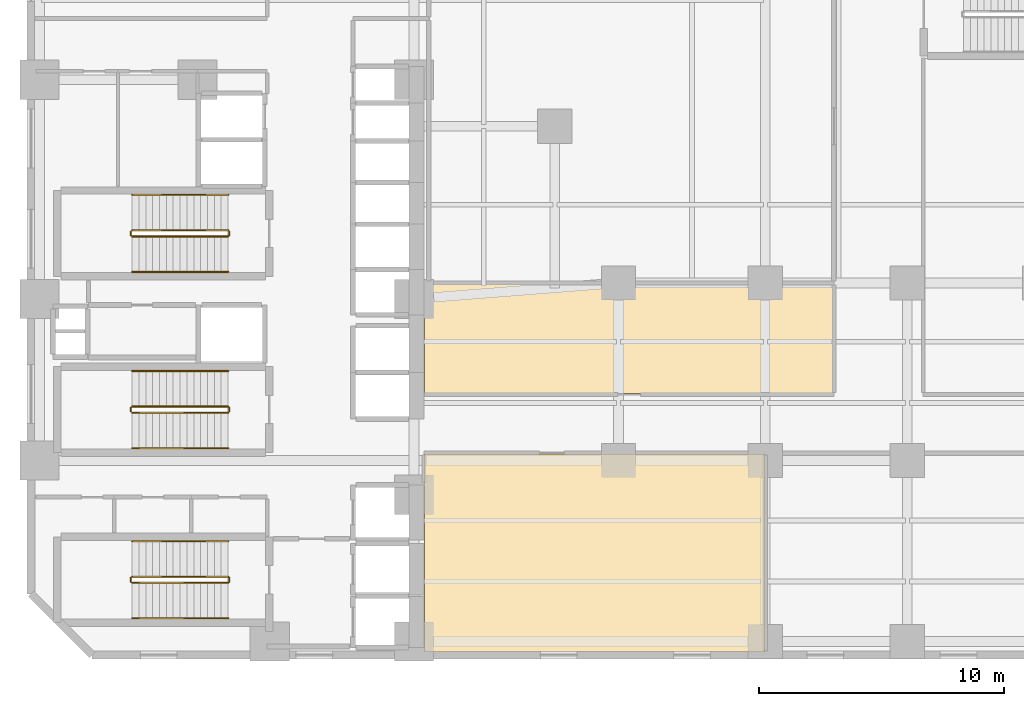
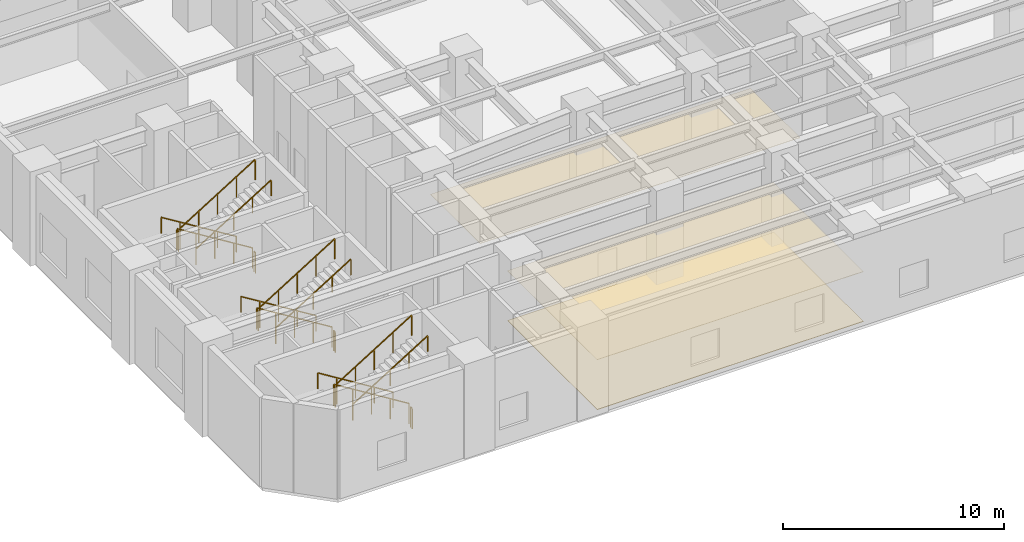
# One storey, part 18 of 22: 18 railings, 3 coverings.
"""IFC4 building model written with IfcOpenShell, lengths in metres."""

from ifc_helpers import new_model, si_unit, direction, frame, origin, origin_2d, place, context, subcontext, project, spatial, polyline, rectangle, outline, extrude, material, layer, layer_set, type_object, element, save


model = new_model("IFC4")

# Units and contexts
model_context = context("Model", 3, precision=1e-05, world=origin(), true_north=direction((0.0, 1.0)))
body_context = subcontext(model_context, "Body", "Model", "MODEL_VIEW")
ifc_project = project(units=[si_unit("LENGTHUNIT", "METRE"), si_unit("AREAUNIT", "SQUARE_METRE"), si_unit("VOLUMEUNIT", "CUBIC_METRE"), si_unit("PLANEANGLEUNIT", "RADIAN"), si_unit("MASSUNIT", "GRAM", prefix="KILO")], contexts=[model_context])

# Site, building, storey
site_placement = place(None, origin())
site = spatial("IfcSite", under=ifc_project, at=site_placement, CompositionType="ELEMENT")
building_placement = place(site_placement, origin())
building = spatial("IfcBuilding", under=site, at=building_placement, Name="Mawjaban Terraces University", CompositionType="ELEMENT")
storey_placement = place(building_placement, frame((0.0, 0.0, 5.199951171875)))
storey = spatial("IfcBuildingStorey", under=building, at=storey_placement, Name="L01", CompositionType="ELEMENT", Elevation=5.199951171875)

# Coverings
ifc_material_1 = material(Name="Acoustic mineral fibre ceiling tile", Category="masonry")
ifc_layer_1 = layer(ifc_material_1, 0.02001953125)
ifc_layer_set_1 = layer_set([ifc_layer_1], Name="Acoustic mineral fibre ceiling tile")
covering_type_1 = type_object("IfcCoveringType", Name="AcousticMineralCeiling_20", PredefinedType="CEILING", material=ifc_layer_set_1)
covering_1_placement = place(storey_placement, frame((0.0, 0.0, 2.75)))
element("IfcCovering", 1, at=covering_1_placement, inside=storey, type_object=covering_type_1, Name="L01 Lecture Audio-Visual Preparation Room Acoustic Ceiling", PredefinedType="CEILING", context=body_context, shape_type="SweptSolid", body=[
    extrude(outline(polyline([(54.77001953125, 10.679931640625), (54.77001953125, 15.169921875), (38.080078125, 15.169921875), (38.080078125, 10.679931640625), (54.77001953125, 10.679931640625)])), origin(), (0.0, 0.0, 1.0), 0.02001953125),
])
covering_2_placement = place(storey_placement, frame((0.0, 0.0, 2.75)))
element("IfcCovering", 2, at=covering_2_placement, inside=storey, type_object=covering_type_1, Name="L01 Foundation Seminar Classroom Acoustic Ceiling", PredefinedType="CEILING", context=body_context, shape_type="SweptSolid", body=[
    extrude(outline(polyline([(38.080078125, 0.114990234375), (51.969970703125, 0.114990234375), (51.969970703125, 8.219970703125), (38.080078125, 8.219970703125), (38.080078125, 0.114990234375)])), origin(), (0.0, 0.0, 1.0), 0.02001953125),
])

# Railings
ifc_material_2 = material(Name="Brushed stainless steel 316", Category="steel")
railing_type_1 = type_object("IfcRailingType", Name="StairWallHandrail_900", PredefinedType="HANDRAIL", material=ifc_material_2)
railing_1_placement = place(storey_placement, frame((30.050048828125, 4.64990234375, 0.17333984375)))
element("IfcRailing", 3, at=railing_1_placement, inside=storey, type_object=railing_type_1, Name="L01 ST-1 stair handrail 1", PredefinedType="HANDRAIL", context=body_context, shape_type="SweptSolid", body=[
    extrude(rectangle(XDim=0.048095703125, YDim=0.048095703125, at=origin_2d()), frame((0.0, 0.0, 0.8759765625), z_axis=(-0.850266275192, 0.0, 0.526352791643), x_axis=(0.0, -1.0, 0.0)), (0.0, 0.0, 1.0), 4.610595703125),
    extrude(rectangle(XDim=0.0419921875, YDim=0.0419921875, at=origin_2d()), origin(), (0.0, 0.0, 1.0), 0.851806640625),
    extrude(rectangle(XDim=0.0419921875, YDim=0.0419921875, at=origin_2d()), frame((-0.97998046875, 0.0, 0.606689453125)), (0.0, 0.0, 1.0), 0.851806640625),
    extrude(rectangle(XDim=0.0419921875, YDim=0.0419921875, at=origin_2d()), frame((-1.9599609375, 0.0, 1.21337890625)), (0.0, 0.0, 1.0), 0.851806640625),
    extrude(rectangle(XDim=0.0419921875, YDim=0.0419921875, at=origin_2d()), frame((-2.940185546875, 0.0, 1.820068359375)), (0.0, 0.0, 1.0), 0.851806640625),
    extrude(rectangle(XDim=0.0419921875, YDim=0.0419921875, at=origin_2d()), frame((-3.920166015625, 0.0, 2.4267578125)), (0.0, 0.0, 1.0), 0.851806640625),
])
railing_2_placement = place(storey_placement, frame((26.1298828125, 1.5, 2.7734375)))
element("IfcRailing", 4, at=railing_2_placement, inside=storey, type_object=railing_type_1, Name="L01 ST-1 stair handrail 2", PredefinedType="HANDRAIL", context=body_context, shape_type="SweptSolid", body=[
    extrude(rectangle(XDim=0.048095703125, YDim=0.048095703125, at=origin_2d()), frame((0.0, 0.0, 0.8759765625), z_axis=(0.850289973577, 0.0, 0.526314507528), x_axis=(0.0, 1.0, 0.0)), (0.0, 0.0, 1.0), 4.6103515625),
    extrude(rectangle(XDim=0.0419921875, YDim=0.0419921875, at=origin_2d()), origin(), (0.0, 0.0, 1.0), 0.851806640625),
    extrude(rectangle(XDim=0.0419921875, YDim=0.0419921875, at=origin_2d()), frame((0.97998046875, 0.0, 0.606689453125)), (0.0, 0.0, 1.0), 0.851806640625),
    extrude(rectangle(XDim=0.0419921875, YDim=0.0419921875, at=origin_2d()), frame((1.9599609375, 0.0, 1.21337890625)), (0.0, 0.0, 1.0), 0.851806640625),
    extrude(rectangle(XDim=0.0419921875, YDim=0.0419921875, at=origin_2d()), frame((2.940185546875, 0.0, 1.81982421875)), (0.0, 0.0, 1.0), 0.851806640625),
    extrude(rectangle(XDim=0.0419921875, YDim=0.0419921875, at=origin_2d()), frame((3.920166015625, 0.0, 2.426513671875)), (0.0, 0.0, 1.0), 0.851806640625),
])
railing_3_placement = place(storey_placement, frame((30.050048828125, 18.800048828125, 0.17333984375)))
element("IfcRailing", 5, at=railing_3_placement, inside=storey, type_object=railing_type_1, Name="L01 ST-2 stair handrail 1", PredefinedType="HANDRAIL", context=body_context, shape_type="SweptSolid", body=[
    extrude(rectangle(XDim=0.048095703125, YDim=0.048095703125, at=origin_2d()), frame((0.0, 0.0, 0.8759765625), z_axis=(-0.850266275192, 0.0, 0.526352791643), x_axis=(0.0, -1.0, 0.0)), (0.0, 0.0, 1.0), 4.610595703125),
    extrude(rectangle(XDim=0.0419921875, YDim=0.0419921875, at=origin_2d()), origin(), (0.0, 0.0, 1.0), 0.851806640625),
    extrude(rectangle(XDim=0.0419921875, YDim=0.0419921875, at=origin_2d()), frame((-0.97998046875, 0.0, 0.606689453125)), (0.0, 0.0, 1.0), 0.851806640625),
    extrude(rectangle(XDim=0.0419921875, YDim=0.0419921875, at=origin_2d()), frame((-1.9599609375, 0.0, 1.21337890625)), (0.0, 0.0, 1.0), 0.851806640625),
    extrude(rectangle(XDim=0.0419921875, YDim=0.0419921875, at=origin_2d()), frame((-2.940185546875, 0.0, 1.820068359375)), (0.0, 0.0, 1.0), 0.851806640625),
    extrude(rectangle(XDim=0.0419921875, YDim=0.0419921875, at=origin_2d()), frame((-3.920166015625, 0.0, 2.4267578125)), (0.0, 0.0, 1.0), 0.851806640625),
])
railing_4_placement = place(storey_placement, frame((26.1298828125, 15.64990234375, 2.7734375)))
element("IfcRailing", 6, at=railing_4_placement, inside=storey, type_object=railing_type_1, Name="L01 ST-2 stair handrail 2", PredefinedType="HANDRAIL", context=body_context, shape_type="SweptSolid", body=[
    extrude(rectangle(XDim=0.048095703125, YDim=0.048095703125, at=origin_2d()), frame((0.0, 0.0, 0.8759765625), z_axis=(0.850289973577, 0.0, 0.526314507528), x_axis=(0.0, 1.0, 0.0)), (0.0, 0.0, 1.0), 4.6103515625),
    extrude(rectangle(XDim=0.0419921875, YDim=0.0419921875, at=origin_2d()), origin(), (0.0, 0.0, 1.0), 0.851806640625),
    extrude(rectangle(XDim=0.0419921875, YDim=0.0419921875, at=origin_2d()), frame((0.97998046875, 0.0, 0.606689453125)), (0.0, 0.0, 1.0), 0.851806640625),
    extrude(rectangle(XDim=0.0419921875, YDim=0.0419921875, at=origin_2d()), frame((1.9599609375, 0.0, 1.21337890625)), (0.0, 0.0, 1.0), 0.851806640625),
    extrude(rectangle(XDim=0.0419921875, YDim=0.0419921875, at=origin_2d()), frame((2.940185546875, 0.0, 1.81982421875)), (0.0, 0.0, 1.0), 0.851806640625),
    extrude(rectangle(XDim=0.0419921875, YDim=0.0419921875, at=origin_2d()), frame((3.920166015625, 0.0, 2.426513671875)), (0.0, 0.0, 1.0), 0.851806640625),
])
railing_5_placement = place(storey_placement, frame((30.050048828125, 11.60009765625, 0.17333984375)))
element("IfcRailing", 7, at=railing_5_placement, inside=storey, type_object=railing_type_1, Name="L01 ST-3 stair handrail 1", PredefinedType="HANDRAIL", context=body_context, shape_type="SweptSolid", body=[
    extrude(rectangle(XDim=0.048095703125, YDim=0.048095703125, at=origin_2d()), frame((0.0, 0.0, 0.8759765625), z_axis=(-0.850266275192, 0.0, 0.526352791643), x_axis=(0.0, -1.0, 0.0)), (0.0, 0.0, 1.0), 4.610595703125),
    extrude(rectangle(XDim=0.0419921875, YDim=0.0419921875, at=origin_2d()), origin(), (0.0, 0.0, 1.0), 0.851806640625),
    extrude(rectangle(XDim=0.0419921875, YDim=0.0419921875, at=origin_2d()), frame((-0.97998046875, 0.0, 0.606689453125)), (0.0, 0.0, 1.0), 0.851806640625),
    extrude(rectangle(XDim=0.0419921875, YDim=0.0419921875, at=origin_2d()), frame((-1.9599609375, 0.0, 1.21337890625)), (0.0, 0.0, 1.0), 0.851806640625),
    extrude(rectangle(XDim=0.0419921875, YDim=0.0419921875, at=origin_2d()), frame((-2.940185546875, 0.0, 1.820068359375)), (0.0, 0.0, 1.0), 0.851806640625),
    extrude(rectangle(XDim=0.0419921875, YDim=0.0419921875, at=origin_2d()), frame((-3.920166015625, 0.0, 2.4267578125)), (0.0, 0.0, 1.0), 0.851806640625),
])
railing_6_placement = place(storey_placement, frame((26.1298828125, 8.449951171875, 2.7734375)))
element("IfcRailing", 8, at=railing_6_placement, inside=storey, type_object=railing_type_1, Name="L01 ST-3 stair handrail 2", PredefinedType="HANDRAIL", context=body_context, shape_type="SweptSolid", body=[
    extrude(rectangle(XDim=0.048095703125, YDim=0.048095703125, at=origin_2d()), frame((0.0, 0.0, 0.8759765625), z_axis=(0.850289973577, 0.0, 0.526314507528), x_axis=(0.0, 1.0, 0.0)), (0.0, 0.0, 1.0), 4.6103515625),
    extrude(rectangle(XDim=0.0419921875, YDim=0.0419921875, at=origin_2d()), origin(), (0.0, 0.0, 1.0), 0.851806640625),
    extrude(rectangle(XDim=0.0419921875, YDim=0.0419921875, at=origin_2d()), frame((0.97998046875, 0.0, 0.606689453125)), (0.0, 0.0, 1.0), 0.851806640625),
    extrude(rectangle(XDim=0.0419921875, YDim=0.0419921875, at=origin_2d()), frame((1.9599609375, 0.0, 1.21337890625)), (0.0, 0.0, 1.0), 0.851806640625),
    extrude(rectangle(XDim=0.0419921875, YDim=0.0419921875, at=origin_2d()), frame((2.940185546875, 0.0, 1.81982421875)), (0.0, 0.0, 1.0), 0.851806640625),
    extrude(rectangle(XDim=0.0419921875, YDim=0.0419921875, at=origin_2d()), frame((3.920166015625, 0.0, 2.426513671875)), (0.0, 0.0, 1.0), 0.851806640625),
])
ifc_material_3 = material(Name="Galvanised painted steel S355", Category="steel")
railing_type_2 = type_object("IfcRailingType", Name="StairWellGuard_1150", PredefinedType="BALUSTRADE", material=ifc_material_3)
railing_7_placement = place(storey_placement, frame((30.050048828125, 3.199951171875, 0.17333984375)))
element("IfcRailing", 9, at=railing_7_placement, inside=storey, type_object=railing_type_2, Name="L01 ST-1 stair guard 1", PredefinedType="BALUSTRADE", context=body_context, shape_type="SweptSolid", body=[
    extrude(rectangle(XDim=0.048095703125, YDim=0.048095703125, at=origin_2d()), frame((0.0, 0.0, 1.1259765625), z_axis=(-0.850266275192, 0.0, 0.526352791643), x_axis=(0.0, -1.0, 0.0)), (0.0, 0.0, 1.0), 4.610595703125),
    extrude(rectangle(XDim=0.0419921875, YDim=0.0419921875, at=origin_2d()), origin(), (0.0, 0.0, 1.0), 1.101806640625),
    extrude(rectangle(XDim=0.0419921875, YDim=0.0419921875, at=origin_2d()), frame((-0.97998046875, 0.0, 0.606689453125)), (0.0, 0.0, 1.0), 1.101806640625),
    extrude(rectangle(XDim=0.0419921875, YDim=0.0419921875, at=origin_2d()), frame((-1.9599609375, 0.0, 1.21337890625)), (0.0, 0.0, 1.0), 1.101806640625),
    extrude(rectangle(XDim=0.0419921875, YDim=0.0419921875, at=origin_2d()), frame((-2.940185546875, 0.0, 1.820068359375)), (0.0, 0.0, 1.0), 1.101806640625),
    extrude(rectangle(XDim=0.0419921875, YDim=0.0419921875, at=origin_2d()), frame((-3.920166015625, 0.0, 2.4267578125)), (0.0, 0.0, 1.0), 1.101806640625),
])
railing_8_placement = place(storey_placement, frame((26.080078125, 3.14990234375, 2.60009765625)))
element("IfcRailing", 10, at=railing_8_placement, inside=storey, type_object=railing_type_2, Name="L01 ST-1 stair guard 2", PredefinedType="BALUSTRADE", context=body_context, shape_type="SweptSolid", body=[
    extrude(rectangle(XDim=0.048095703125, YDim=0.048095703125, at=origin_2d()), frame((0.0, 0.0, 1.1259765625), z_axis=(0.0, -1.0, 0.0), x_axis=(1.0, 0.0, 0.0)), (0.0, 0.0, 1.0), 0.14990234375),
    extrude(rectangle(XDim=0.0419921875, YDim=0.0419921875, at=origin_2d()), origin(), (0.0, 0.0, 1.0), 1.101806640625),
    extrude(rectangle(XDim=0.0419921875, YDim=0.0419921875, at=origin_2d()), frame((0.0, -0.14990234375, 0.0)), (0.0, 0.0, 1.0), 1.101806640625),
])
railing_9_placement = place(storey_placement, frame((26.1298828125, 2.949951171875, 2.7734375)))
element("IfcRailing", 11, at=railing_9_placement, inside=storey, type_object=railing_type_2, Name="L01 ST-1 stair guard 3", PredefinedType="BALUSTRADE", context=body_context, shape_type="SweptSolid", body=[
    extrude(rectangle(XDim=0.048095703125, YDim=0.048095703125, at=origin_2d()), frame((0.0, 0.0, 1.1259765625), z_axis=(0.850289973577, 0.0, 0.526314507528), x_axis=(0.0, 1.0, 0.0)), (0.0, 0.0, 1.0), 4.6103515625),
    extrude(rectangle(XDim=0.0419921875, YDim=0.0419921875, at=origin_2d()), origin(), (0.0, 0.0, 1.0), 1.101806640625),
    extrude(rectangle(XDim=0.0419921875, YDim=0.0419921875, at=origin_2d()), frame((0.97998046875, 0.0, 0.606689453125)), (0.0, 0.0, 1.0), 1.101806640625),
    extrude(rectangle(XDim=0.0419921875, YDim=0.0419921875, at=origin_2d()), frame((1.9599609375, 0.0, 1.21337890625)), (0.0, 0.0, 1.0), 1.101806640625),
    extrude(rectangle(XDim=0.0419921875, YDim=0.0419921875, at=origin_2d()), frame((2.940185546875, 0.0, 1.81982421875)), (0.0, 0.0, 1.0), 1.101806640625),
    extrude(rectangle(XDim=0.0419921875, YDim=0.0419921875, at=origin_2d()), frame((3.920166015625, 0.0, 2.426513671875)), (0.0, 0.0, 1.0), 1.101806640625),
])
railing_10_placement = place(storey_placement, frame((30.10009765625, 3.14990234375, 0.0)))
element("IfcRailing", 12, at=railing_10_placement, inside=storey, type_object=railing_type_2, Name="L01 ST-1 stair guard 4", PredefinedType="BALUSTRADE", context=body_context, shape_type="SweptSolid", body=[
    extrude(rectangle(XDim=0.048095703125, YDim=0.048095703125, at=origin_2d()), frame((0.0, 0.0, 1.1259765625), z_axis=(0.0, -1.0, 0.0), x_axis=(1.0, 0.0, 0.0)), (0.0, 0.0, 1.0), 0.14990234375),
    extrude(rectangle(XDim=0.0419921875, YDim=0.0419921875, at=origin_2d()), origin(), (0.0, 0.0, 1.0), 1.101806640625),
    extrude(rectangle(XDim=0.0419921875, YDim=0.0419921875, at=origin_2d()), frame((0.0, -0.14990234375, 0.0)), (0.0, 0.0, 1.0), 1.101806640625),
])
railing_11_placement = place(storey_placement, frame((30.050048828125, 17.35009765625, 0.17333984375)))
element("IfcRailing", 13, at=railing_11_placement, inside=storey, type_object=railing_type_2, Name="L01 ST-2 stair guard 1", PredefinedType="BALUSTRADE", context=body_context, shape_type="SweptSolid", body=[
    extrude(rectangle(XDim=0.048095703125, YDim=0.048095703125, at=origin_2d()), frame((0.0, 0.0, 1.1259765625), z_axis=(-0.850266275192, 0.0, 0.526352791643), x_axis=(0.0, -1.0, 0.0)), (0.0, 0.0, 1.0), 4.610595703125),
    extrude(rectangle(XDim=0.0419921875, YDim=0.0419921875, at=origin_2d()), origin(), (0.0, 0.0, 1.0), 1.101806640625),
    extrude(rectangle(XDim=0.0419921875, YDim=0.0419921875, at=origin_2d()), frame((-0.97998046875, 0.0, 0.606689453125)), (0.0, 0.0, 1.0), 1.101806640625),
    extrude(rectangle(XDim=0.0419921875, YDim=0.0419921875, at=origin_2d()), frame((-1.9599609375, 0.0, 1.21337890625)), (0.0, 0.0, 1.0), 1.101806640625),
    extrude(rectangle(XDim=0.0419921875, YDim=0.0419921875, at=origin_2d()), frame((-2.940185546875, 0.0, 1.820068359375)), (0.0, 0.0, 1.0), 1.101806640625),
    extrude(rectangle(XDim=0.0419921875, YDim=0.0419921875, at=origin_2d()), frame((-3.920166015625, 0.0, 2.4267578125)), (0.0, 0.0, 1.0), 1.101806640625),
])
railing_12_placement = place(storey_placement, frame((26.080078125, 17.300048828125, 2.60009765625)))
element("IfcRailing", 14, at=railing_12_placement, inside=storey, type_object=railing_type_2, Name="L01 ST-2 stair guard 2", PredefinedType="BALUSTRADE", context=body_context, shape_type="SweptSolid", body=[
    extrude(rectangle(XDim=0.048095703125, YDim=0.048095703125, at=origin_2d()), frame((0.0, 0.0, 1.1259765625), z_axis=(0.0, -1.0, 0.0), x_axis=(1.0, 0.0, 0.0)), (0.0, 0.0, 1.0), 0.150146484375),
    extrude(rectangle(XDim=0.0419921875, YDim=0.0419921875, at=origin_2d()), origin(), (0.0, 0.0, 1.0), 1.101806640625),
    extrude(rectangle(XDim=0.0419921875, YDim=0.0419921875, at=origin_2d()), frame((0.0, -0.150146484375, 0.0)), (0.0, 0.0, 1.0), 1.101806640625),
])
railing_13_placement = place(storey_placement, frame((26.1298828125, 17.10009765625, 2.7734375)))
element("IfcRailing", 15, at=railing_13_placement, inside=storey, type_object=railing_type_2, Name="L01 ST-2 stair guard 3", PredefinedType="BALUSTRADE", context=body_context, shape_type="SweptSolid", body=[
    extrude(rectangle(XDim=0.048095703125, YDim=0.048095703125, at=origin_2d()), frame((0.0, 0.0, 1.1259765625), z_axis=(0.850289973577, 0.0, 0.526314507528), x_axis=(0.0, 1.0, 0.0)), (0.0, 0.0, 1.0), 4.6103515625),
    extrude(rectangle(XDim=0.0419921875, YDim=0.0419921875, at=origin_2d()), origin(), (0.0, 0.0, 1.0), 1.101806640625),
    extrude(rectangle(XDim=0.0419921875, YDim=0.0419921875, at=origin_2d()), frame((0.97998046875, 0.0, 0.606689453125)), (0.0, 0.0, 1.0), 1.101806640625),
    extrude(rectangle(XDim=0.0419921875, YDim=0.0419921875, at=origin_2d()), frame((1.9599609375, 0.0, 1.21337890625)), (0.0, 0.0, 1.0), 1.101806640625),
    extrude(rectangle(XDim=0.0419921875, YDim=0.0419921875, at=origin_2d()), frame((2.940185546875, 0.0, 1.81982421875)), (0.0, 0.0, 1.0), 1.101806640625),
    extrude(rectangle(XDim=0.0419921875, YDim=0.0419921875, at=origin_2d()), frame((3.920166015625, 0.0, 2.426513671875)), (0.0, 0.0, 1.0), 1.101806640625),
])
railing_14_placement = place(storey_placement, frame((30.10009765625, 17.300048828125, 0.0)))
element("IfcRailing", 16, at=railing_14_placement, inside=storey, type_object=railing_type_2, Name="L01 ST-2 stair guard 4", PredefinedType="BALUSTRADE", context=body_context, shape_type="SweptSolid", body=[
    extrude(rectangle(XDim=0.048095703125, YDim=0.048095703125, at=origin_2d()), frame((0.0, 0.0, 1.1259765625), z_axis=(0.0, -1.0, 0.0), x_axis=(1.0, 0.0, 0.0)), (0.0, 0.0, 1.0), 0.150146484375),
    extrude(rectangle(XDim=0.0419921875, YDim=0.0419921875, at=origin_2d()), origin(), (0.0, 0.0, 1.0), 1.101806640625),
    extrude(rectangle(XDim=0.0419921875, YDim=0.0419921875, at=origin_2d()), frame((0.0, -0.150146484375, 0.0)), (0.0, 0.0, 1.0), 1.101806640625),
])
railing_15_placement = place(storey_placement, frame((30.050048828125, 10.14990234375, 0.17333984375)))
element("IfcRailing", 17, at=railing_15_placement, inside=storey, type_object=railing_type_2, Name="L01 ST-3 stair guard 1", PredefinedType="BALUSTRADE", context=body_context, shape_type="SweptSolid", body=[
    extrude(rectangle(XDim=0.048095703125, YDim=0.048095703125, at=origin_2d()), frame((0.0, 0.0, 1.1259765625), z_axis=(-0.850266275192, 0.0, 0.526352791643), x_axis=(0.0, -1.0, 0.0)), (0.0, 0.0, 1.0), 4.610595703125),
    extrude(rectangle(XDim=0.0419921875, YDim=0.0419921875, at=origin_2d()), origin(), (0.0, 0.0, 1.0), 1.101806640625),
    extrude(rectangle(XDim=0.0419921875, YDim=0.0419921875, at=origin_2d()), frame((-0.97998046875, 0.0, 0.606689453125)), (0.0, 0.0, 1.0), 1.101806640625),
    extrude(rectangle(XDim=0.0419921875, YDim=0.0419921875, at=origin_2d()), frame((-1.9599609375, 0.0, 1.21337890625)), (0.0, 0.0, 1.0), 1.101806640625),
    extrude(rectangle(XDim=0.0419921875, YDim=0.0419921875, at=origin_2d()), frame((-2.940185546875, 0.0, 1.820068359375)), (0.0, 0.0, 1.0), 1.101806640625),
    extrude(rectangle(XDim=0.0419921875, YDim=0.0419921875, at=origin_2d()), frame((-3.920166015625, 0.0, 2.4267578125)), (0.0, 0.0, 1.0), 1.101806640625),
])
railing_16_placement = place(storey_placement, frame((26.080078125, 10.10009765625, 2.60009765625)))
element("IfcRailing", 18, at=railing_16_placement, inside=storey, type_object=railing_type_2, Name="L01 ST-3 stair guard 2", PredefinedType="BALUSTRADE", context=body_context, shape_type="SweptSolid", body=[
    extrude(rectangle(XDim=0.048095703125, YDim=0.048095703125, at=origin_2d()), frame((0.0, 0.0, 1.1259765625), z_axis=(0.0, -1.0, 0.0), x_axis=(1.0, 0.0, 0.0)), (0.0, 0.0, 1.0), 0.150146484375),
    extrude(rectangle(XDim=0.0419921875, YDim=0.0419921875, at=origin_2d()), origin(), (0.0, 0.0, 1.0), 1.101806640625),
    extrude(rectangle(XDim=0.0419921875, YDim=0.0419921875, at=origin_2d()), frame((0.0, -0.150146484375, 0.0)), (0.0, 0.0, 1.0), 1.101806640625),
])
railing_17_placement = place(storey_placement, frame((26.1298828125, 9.89990234375, 2.7734375)))
element("IfcRailing", 19, at=railing_17_placement, inside=storey, type_object=railing_type_2, Name="L01 ST-3 stair guard 3", PredefinedType="BALUSTRADE", context=body_context, shape_type="SweptSolid", body=[
    extrude(rectangle(XDim=0.048095703125, YDim=0.048095703125, at=origin_2d()), frame((0.0, 0.0, 1.1259765625), z_axis=(0.850289973577, 0.0, 0.526314507528), x_axis=(0.0, 1.0, 0.0)), (0.0, 0.0, 1.0), 4.6103515625),
    extrude(rectangle(XDim=0.0419921875, YDim=0.0419921875, at=origin_2d()), origin(), (0.0, 0.0, 1.0), 1.101806640625),
    extrude(rectangle(XDim=0.0419921875, YDim=0.0419921875, at=origin_2d()), frame((0.97998046875, 0.0, 0.606689453125)), (0.0, 0.0, 1.0), 1.101806640625),
    extrude(rectangle(XDim=0.0419921875, YDim=0.0419921875, at=origin_2d()), frame((1.9599609375, 0.0, 1.21337890625)), (0.0, 0.0, 1.0), 1.101806640625),
    extrude(rectangle(XDim=0.0419921875, YDim=0.0419921875, at=origin_2d()), frame((2.940185546875, 0.0, 1.81982421875)), (0.0, 0.0, 1.0), 1.101806640625),
    extrude(rectangle(XDim=0.0419921875, YDim=0.0419921875, at=origin_2d()), frame((3.920166015625, 0.0, 2.426513671875)), (0.0, 0.0, 1.0), 1.101806640625),
])
railing_18_placement = place(storey_placement, frame((30.10009765625, 10.10009765625, 0.0)))
element("IfcRailing", 20, at=railing_18_placement, inside=storey, type_object=railing_type_2, Name="L01 ST-3 stair guard 4", PredefinedType="BALUSTRADE", context=body_context, shape_type="SweptSolid", body=[
    extrude(rectangle(XDim=0.048095703125, YDim=0.048095703125, at=origin_2d()), frame((0.0, 0.0, 1.1259765625), z_axis=(0.0, -1.0, 0.0), x_axis=(1.0, 0.0, 0.0)), (0.0, 0.0, 1.0), 0.150146484375),
    extrude(rectangle(XDim=0.0419921875, YDim=0.0419921875, at=origin_2d()), origin(), (0.0, 0.0, 1.0), 1.101806640625),
    extrude(rectangle(XDim=0.0419921875, YDim=0.0419921875, at=origin_2d()), frame((0.0, -0.150146484375, 0.0)), (0.0, 0.0, 1.0), 1.101806640625),
])

# Covering
ifc_material_4 = material(Name="Polished Hijazi granite terrazzo flooring", Category="masonry")
ifc_layer_2 = layer(ifc_material_4, 0.02490234375)
ifc_layer_set_2 = layer_set([ifc_layer_2], Name="Polished Hijazi granite terrazzo flooring")
covering_type_2 = type_object("IfcCoveringType", Name="TerrazzoConcourseFlooring_25", PredefinedType="FLOORING", material=ifc_layer_set_2)
covering_3_placement = place(storey_placement, origin())
element("IfcCovering", 21, at=covering_3_placement, inside=storey, type_object=covering_type_2, Name="L01 Foundation Seminar Classroom Terrazzo Flooring", PredefinedType="FLOORING", context=body_context, shape_type="SweptSolid", body=[
    extrude(outline(polyline([(38.080078125, 0.114990234375), (51.969970703125, 0.114990234375), (51.969970703125, 8.219970703125), (38.080078125, 8.219970703125), (38.080078125, 0.114990234375)])), origin(), (0.0, 0.0, 1.0), 0.025146484375),
])

save(model, "model.ifc")
